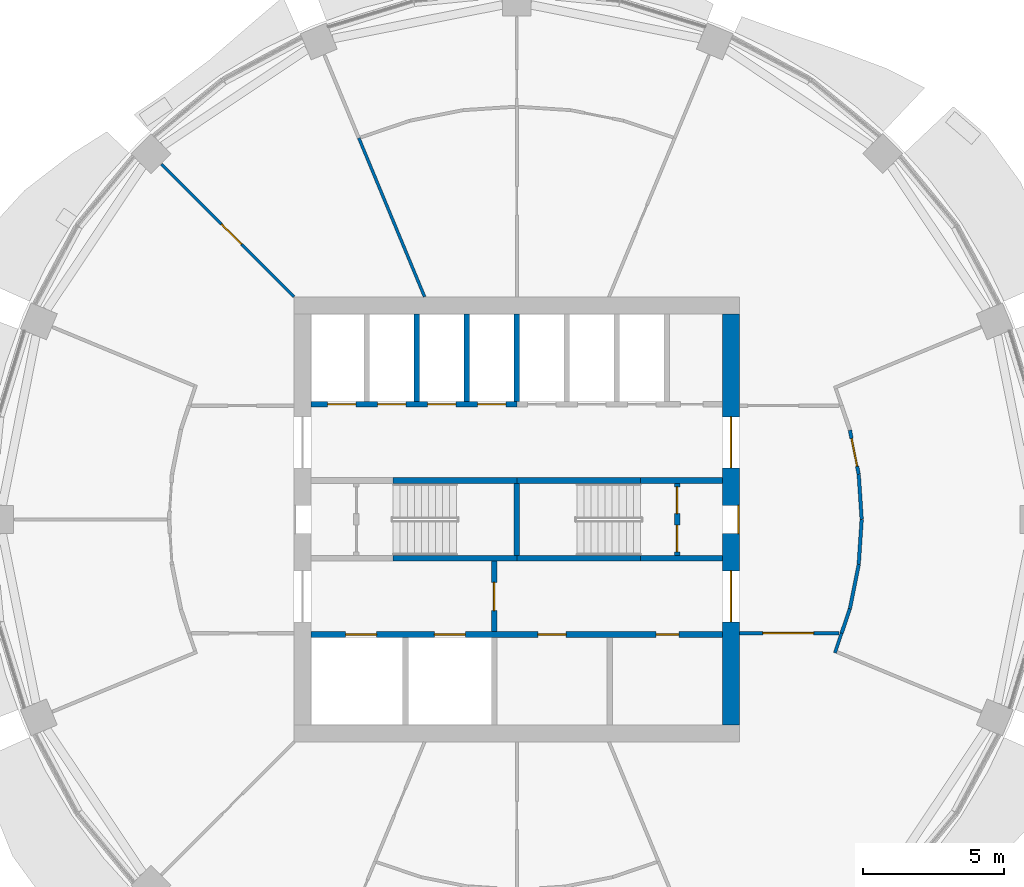
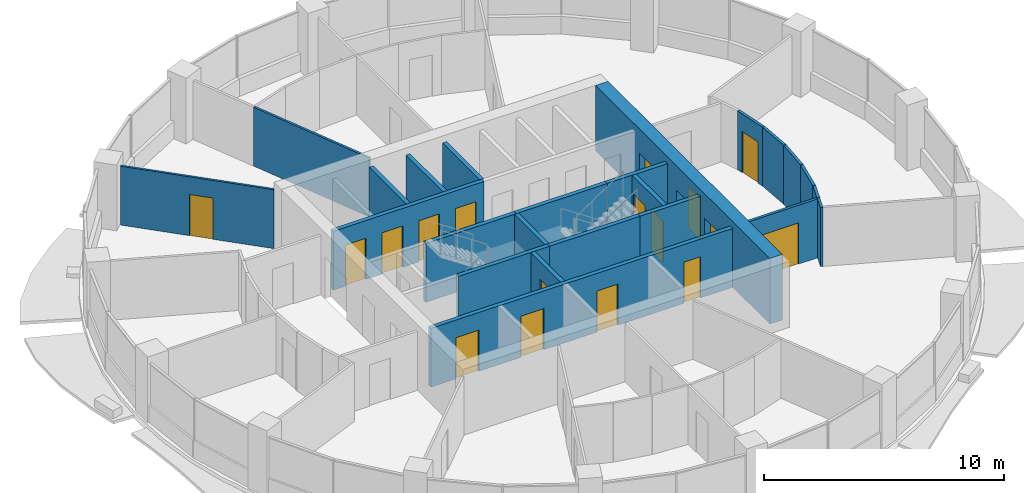
# One storey, part 9 of 14: 24 walls, 17 doors, 17 openings.
"""IFC4 building model written with IfcOpenShell, lengths in metres."""

import ifcopenshell
import ifcopenshell.guid

model = None  # the IFC model being written
_history = None  # IfcOwnerHistory: only IFC2X3 demands one
_inside = {}  # id of a spatial element -> (the spatial element, [elements in it])
_under = {}  # id of a project, library or spatial element -> (it, [spatial elements below it])
_declared = {}  # id of a project -> (the project, [libraries it declares])
_typed = {}  # id of a type object -> (the type object, [elements of that type])
_made_of = {}  # id of a material, layer set ... -> (it, [elements and type objects made of it])


def new_model(schema):
    """Start an empty IFC model of exactly this schema.

    Asked for "IFC4X3", IfcOpenShell would pick the latest addendum, in which some entities
    have other attributes; the version numbers below select the first issue.
    IFC2X3 requires an IfcOwnerHistory on every rooted entity: one is made here for all.
    """
    global model, _history
    if schema == "IFC4X3":
        model = ifcopenshell.file(schema_version=(4, 3, 0, 0))
    else:
        model = ifcopenshell.file(schema=schema)
    _inside.clear()
    _under.clear()
    _declared.clear()
    _typed.clear()
    _made_of.clear()
    _history = None
    if model.schema == "IFC2X3":
        org = make("IfcOrganization", Name="unknown")
        user = make(
            "IfcPersonAndOrganization",
            ThePerson=make("IfcPerson", FamilyName="unknown"),
            TheOrganization=org,
        )
        app = make(
            "IfcApplication",
            ApplicationDeveloper=org,
            Version="unknown",
            ApplicationFullName="unknown",
            ApplicationIdentifier="unknown",
        )
        _history = make(
            "IfcOwnerHistory",
            OwningUser=user,
            OwningApplication=app,
            ChangeAction="ADDED",
            CreationDate=0,
        )
    return model


def make(cls, **values):
    """One entity of the class cls with the attributes given. An attribute that is None is left unset."""
    return model.create_entity(
        cls, **{name: value for name, value in values.items() if value is not None}
    )


def rooted(cls, **values):
    """An entity with a GlobalId (a new one), such as an element, a storey or a relation."""
    return make(cls, GlobalId=ifcopenshell.guid.new(), OwnerHistory=_history, **values)


def si_unit(unit_type, name, prefix=None):
    """IfcSIUnit, for example si_unit("LENGTHUNIT", "METRE", prefix="MILLI")."""
    return make("IfcSIUnit", UnitType=unit_type, Prefix=prefix, Name=name)


def assignment(units):
    """IfcUnitAssignment: the units of a project."""
    return None if units is None else make("IfcUnitAssignment", Units=units)


def point(xyz):
    """IfcCartesianPoint."""
    return None if xyz is None else make("IfcCartesianPoint", Coordinates=xyz)


def direction(xyz):
    """IfcDirection."""
    return None if xyz is None else make("IfcDirection", DirectionRatios=xyz)


def frame(location, z_axis=None, x_axis=None):
    """IfcAxis2Placement3D, a coordinate frame: its origin and axes. An axis left out is left unset."""
    return make(
        "IfcAxis2Placement3D",
        Location=point(location),
        Axis=direction(z_axis),
        RefDirection=direction(x_axis),
    )


def frame_2d(location, x_axis=None):
    """IfcAxis2Placement2D, a coordinate frame in the plane: its origin and x axis."""
    return make(
        "IfcAxis2Placement2D", Location=point(location), RefDirection=direction(x_axis)
    )


def origin():
    """The frame at (0, 0, 0) with its axes left unset."""
    return frame((0.0, 0.0, 0.0))


def place(relative_to, where):
    """IfcLocalPlacement: puts the frame where relative to a parent placement (None: the world)."""
    return make(
        "IfcLocalPlacement", PlacementRelTo=relative_to, RelativePlacement=where
    )


def context(
    kind, dimensions, precision=None, world=None, true_north=None, identifier=None
):
    """IfcGeometricRepresentationContext, for example the 3D "Model" context."""
    return make(
        "IfcGeometricRepresentationContext",
        ContextIdentifier=identifier,
        ContextType=kind,
        CoordinateSpaceDimension=dimensions,
        Precision=precision,
        WorldCoordinateSystem=world,
        TrueNorth=true_north,
    )


def subcontext(parent, identifier, kind, view, scale=None):
    """IfcGeometricRepresentationSubContext, for example "Body" below "Model"."""
    return make(
        "IfcGeometricRepresentationSubContext",
        ContextIdentifier=identifier,
        ContextType=kind,
        ParentContext=parent,
        TargetScale=scale,
        TargetView=view,
    )


def project(units=None, contexts=None):
    """IfcProject with its units and contexts."""
    return rooted(
        "IfcProject",
        Name="project",
        RepresentationContexts=contexts,
        UnitsInContext=assignment(units),
    )


def spatial(cls, under=None, at=None, **own):
    """A site, building, storey or space (cls), placed at a placement, below another one or the project."""
    s = rooted(cls, ObjectPlacement=at, **own)
    if under is not None:
        _under.setdefault(under.id(), (under, []))[1].append(s)
    return s


def profile(cls, at=None, kind="AREA", **sizes):
    """A parametric profile (cls). Its sizes go by their IFC names, for example OverallWidth=200.0."""
    return make(cls, ProfileType=kind, Position=at, **sizes)


def rectangle(**sizes):
    """IfcRectangleProfileDef."""
    return profile("IfcRectangleProfileDef", **sizes)


def extrude(swept, where, along, depth):
    """IfcExtrudedAreaSolid: the profile swept, set in the frame where, extruded along a direction by depth."""
    return make(
        "IfcExtrudedAreaSolid",
        SweptArea=swept,
        Position=where,
        ExtrudedDirection=direction(along),
        Depth=depth,
    )


def shape(context_of_items, identifier, shape_type, items):
    """IfcShapeRepresentation: the items that make up one representation, for example the "Body"."""
    return make(
        "IfcShapeRepresentation",
        ContextOfItems=context_of_items,
        RepresentationIdentifier=identifier,
        RepresentationType=shape_type,
        Items=items,
    )


def material(Name=None, Category=None):
    """IfcMaterial."""
    return make("IfcMaterial", Name=Name, Category=Category)


def layer(
    of_material, thickness, ventilated=None, Name=None, Category=None, Priority=None
):
    """IfcMaterialLayer: one layer of a wall or slab, of a material (None: an air gap)."""
    return make(
        "IfcMaterialLayer",
        Material=of_material,
        LayerThickness=thickness,
        IsVentilated=ventilated,
        Name=Name,
        Category=Category,
        Priority=Priority,
    )


def layer_set(layers, Name=None):
    """IfcMaterialLayerSet."""
    return make("IfcMaterialLayerSet", MaterialLayers=layers, LayerSetName=Name)


def made_of(thing, what):
    """Note that an element or type object is made of a material, layer set ...; save() writes the relation."""
    if what is not None:
        _made_of.setdefault(what.id(), (what, []))[1].append(thing)
    return thing


def type_object(cls, material=None, **own):
    """A type object (cls), such as IfcWallType, which elements share."""
    return made_of(rooted(cls, **own), material)


def element(
    cls,
    number,
    at=None,
    inside=None,
    cuts=None,
    type_object=None,
    material=None,
    context=None,
    identifier="Body",
    shape_type=None,
    held_by="IfcProductDefinitionShape",
    body=None,
    shapes=None,
    **own,
):
    """One element of the class cls, such as IfcWall. Its Tag is "e" and its number.

    at: its placement. inside: the storey or other place that contains it. cuts: it is an
    opening in that element (IfcRelVoidsElement). A single representation is given by context,
    identifier, shape_type and body (its items); several are given by shapes. held_by: the class
    of the entity that holds the representations. save() writes the other relations.
    """
    e = rooted(cls, Tag="e%d" % number, ObjectPlacement=at, **own)
    if body is not None:
        shapes = [shape(context, identifier, shape_type, body)]
    if shapes is not None:
        e.Representation = make(held_by, Representations=shapes)
    if inside is not None:
        _inside.setdefault(inside.id(), (inside, []))[1].append(e)
    if cuts is not None:
        rooted(
            "IfcRelVoidsElement", RelatingBuildingElement=cuts, RelatedOpeningElement=e
        )
    if type_object is not None:
        _typed.setdefault(type_object.id(), (type_object, []))[1].append(e)
    return made_of(e, material)


def fill(opening, filler):
    """IfcRelFillsElement: the door or window that sits in an opening."""
    return rooted(
        "IfcRelFillsElement",
        RelatingOpeningElement=opening,
        RelatedBuildingElement=filler,
    )


def aggregate(whole, parts):
    """IfcRelAggregates: a whole, such as a stair, and the parts it consists of."""
    return rooted("IfcRelAggregates", RelatingObject=whole, RelatedObjects=parts)


def save(model, path):
    """Write the relations noted so far, then the file.

    IfcRelAggregates (storeys below a building ...), IfcRelContainedInSpatialStructure (elements
    in a storey), IfcRelDefinesByType, IfcRelAssociatesMaterial and IfcRelDeclares: one each for
    every whole, place, type object, material and project.
    """
    for whole, parts in _under.values():
        aggregate(whole, parts)
    for where, things in _inside.values():
        rooted(
            "IfcRelContainedInSpatialStructure",
            RelatedElements=things,
            RelatingStructure=where,
        )
    for kind, things in _typed.values():
        rooted("IfcRelDefinesByType", RelatedObjects=things, RelatingType=kind)
    for what, things in _made_of.values():
        rooted("IfcRelAssociatesMaterial", RelatedObjects=things, RelatingMaterial=what)
    for by, libraries in _declared.values():
        rooted("IfcRelDeclares", RelatingContext=by, RelatedDefinitions=libraries)
    model.write(path)


model = new_model("IFC4")

# Units and contexts
model_context = context("Model", 3, precision=1e-05, world=origin(), true_north=direction((0.0, 1.0)))
body_context = subcontext(model_context, "Body", "Model", "MODEL_VIEW")
ifc_project = project(units=[si_unit("LENGTHUNIT", "METRE"), si_unit("AREAUNIT", "SQUARE_METRE"), si_unit("VOLUMEUNIT", "CUBIC_METRE"), si_unit("PLANEANGLEUNIT", "RADIAN"), si_unit("MASSUNIT", "GRAM", prefix="KILO")], contexts=[model_context])

# Site, building, storey
site_placement = place(None, origin())
site = spatial("IfcSite", under=ifc_project, at=site_placement, CompositionType="ELEMENT")
building_placement = place(site_placement, origin())
building = spatial("IfcBuilding", under=site, at=building_placement, Name="Polderwave Tower", CompositionType="ELEMENT")
storey_placement = place(building_placement, frame((0.0, 0.0, 144.39990234375)))
storey = spatial("IfcBuildingStorey", under=building, at=storey_placement, Name="L38", CompositionType="ELEMENT", Elevation=144.39990234375)

# Wall, openings, doors
ifc_material_1 = material(Name="Concrete C60/75", Category="concrete")
ifc_layer_1 = layer(ifc_material_1, 0.60009765625)
ifc_layer_set_1 = layer_set([ifc_layer_1], Name="CORE WALL 600 C60/75")
wall_type_1 = type_object("IfcWallType", Name="CORE WALL 600 C60/75", PredefinedType="SHEAR", material=ifc_layer_set_1)
wall_1_placement = place(storey_placement, frame((7.573974609375, -7.27392578125, 0.0), z_axis=(0.0, 0.0, 1.0), x_axis=(0.0, 1.0, 0.0)))
wall_1 = element("IfcWall", 1, at=wall_1_placement, inside=storey, type_object=wall_type_1, Name="ST-CORE-L38-E", PredefinedType="SHEAR", context=body_context, shape_type="SweptSolid", body=[
    extrude(rectangle(XDim=14.5478515625, YDim=0.60009765625, at=frame_2d((7.27392578125, 0.0))), origin(), (0.0, 0.0, 1.0), 3.35009765625),
])
opening_1_placement = place(wall_1_placement, frame((6.77392578125, 0.0, 0.0)))
opening_1 = element("IfcOpeningElement", 2, at=opening_1_placement, cuts=wall_1, Name="Opening L38-D21", PredefinedType="OPENING", context=body_context, shape_type="SweptSolid", body=[
    extrude(rectangle(XDim=1.0, YDim=2.10009765625, at=frame_2d((0.5, 1.050048828125))), frame((0.0, 0.31005859375, 0.0), z_axis=(0.0, -1.0, 0.0), x_axis=(1.0, 0.0, 0.0)), (0.0, 0.0, 1.0), 0.6201171875),
])
opening_2_placement = place(wall_1_placement, frame((3.6494140625, 0.0, 0.0)))
opening_2 = element("IfcOpeningElement", 3, at=opening_2_placement, cuts=wall_1, Name="Opening L38-D22", PredefinedType="OPENING", context=body_context, shape_type="SweptSolid", body=[
    extrude(rectangle(XDim=1.800048828125, YDim=2.10009765625, at=frame_2d((0.89990234375, 1.050048828125))), frame((0.0, 0.31005859375, 0.0), z_axis=(0.0, -1.0, 0.0), x_axis=(1.0, 0.0, 0.0)), (0.0, 0.0, 1.0), 0.6201171875),
])
opening_3_placement = place(wall_1_placement, frame((9.098388671875, 0.0, 0.0)))
opening_3 = element("IfcOpeningElement", 4, at=opening_3_placement, cuts=wall_1, Name="Opening L38-D23", PredefinedType="OPENING", context=body_context, shape_type="SweptSolid", body=[
    extrude(rectangle(XDim=1.800048828125, YDim=2.10009765625, at=frame_2d((0.89990234375, 1.050048828125))), frame((0.0, 0.31005859375, 0.0), z_axis=(0.0, -1.0, 0.0), x_axis=(1.0, 0.0, 0.0)), (0.0, 0.0, 1.0), 0.6201171875),
])
ifc_material_2 = material(Name="Steel fire door", Category="steel")
door_type_1 = type_object("IfcDoorType", Name="Lobby entry door pair 1800", OperationType="DOUBLE_DOOR_SINGLE_SWING", PredefinedType="DOOR", material=ifc_material_2)
door_1_placement = place(opening_2_placement, frame((1.800048828125, 0.0, 0.0), z_axis=(0.0, 0.0, 1.0), x_axis=(-1.0, 0.0, 0.0)))
door_1 = element("IfcDoor", 5, at=door_1_placement, inside=storey, type_object=door_type_1, Name="South lobby entry door", OperationType="DOUBLE_DOOR_SINGLE_SWING", OverallHeight=2.10009765625, OverallWidth=1.800048828125, PredefinedType="DOOR", context=body_context, shape_type="SweptSolid", body=[
    extrude(rectangle(XDim=1.800048828125, YDim=2.10009765625, at=frame_2d((0.89990234375, 1.050048828125))), frame((0.0, 0.02490234375, 0.0), z_axis=(0.0, -1.0, 0.0), x_axis=(1.0, 0.0, 0.0)), (0.0, 0.0, 1.0), 0.050048828125),
])
fill(opening_2, door_1)
door_2_placement = place(opening_3_placement, frame((1.800048828125, 0.0, 0.0), z_axis=(0.0, 0.0, 1.0), x_axis=(-1.0, 0.0, 0.0)))
door_2 = element("IfcDoor", 6, at=door_2_placement, inside=storey, type_object=door_type_1, Name="North lobby entry door", OperationType="DOUBLE_DOOR_SINGLE_SWING", OverallHeight=2.10009765625, OverallWidth=1.800048828125, PredefinedType="DOOR", context=body_context, shape_type="SweptSolid", body=[
    extrude(rectangle(XDim=1.800048828125, YDim=2.10009765625, at=frame_2d((0.89990234375, 1.050048828125))), frame((0.0, 0.02490234375, 0.0), z_axis=(0.0, -1.0, 0.0), x_axis=(1.0, 0.0, 0.0)), (0.0, 0.0, 1.0), 0.050048828125),
])
fill(opening_3, door_2)
door_type_2 = type_object("IfcDoorType", Name="Stair door 1000", OperationType="NOTDEFINED", PredefinedType="DOOR", material=ifc_material_2)
door_3_placement = place(opening_1_placement, frame((1.0, 0.0, 0.0), z_axis=(0.0, 0.0, 1.0), x_axis=(-1.0, 0.0, 0.0)))
door_3 = element("IfcDoor", 7, at=door_3_placement, inside=storey, type_object=door_type_2, Name="Stair B entry door", OperationType="SINGLE_SWING_LEFT", OverallHeight=2.10009765625, OverallWidth=1.0, PredefinedType="DOOR", context=body_context, shape_type="SweptSolid", body=[
    extrude(rectangle(XDim=1.0, YDim=2.10009765625, at=frame_2d((0.5, 1.050048828125))), frame((0.0, 0.2998046875, 0.0), z_axis=(0.0, -1.0, 0.0), x_axis=(1.0, 0.0, 0.0)), (0.0, 0.0, 1.0), 0.050048828125),
])
fill(opening_1, door_3)

# Wall, opening, door
ifc_material_3 = material(Name="Gypsum board partition")
ifc_layer_2 = layer(ifc_material_3, 0.199951171875)
ifc_layer_set_2 = layer_set([ifc_layer_2], Name="Core room partition 200")
wall_type_2 = type_object("IfcWallType", Name="Core room partition 200", PredefinedType="PARTITIONING", material=ifc_layer_set_2)
wall_2_placement = place(storey_placement, frame((-0.800048828125, -3.97412109375, 0.0), z_axis=(0.0, 0.0, 1.0), x_axis=(0.0, 1.0, 0.0)))
wall_2 = element("IfcWall", 8, at=wall_2_placement, inside=storey, type_object=wall_type_2, Name="L38 fire-fighting lobby wall", PredefinedType="PARTITIONING", context=body_context, shape_type="SweptSolid", body=[
    extrude(rectangle(XDim=2.4990234375, YDim=0.199951171875, at=frame_2d((1.24951171875, 0.0))), origin(), (0.0, 0.0, 1.0), 3.0),
])
opening_4_placement = place(wall_2_placement, frame((0.74951171875, 0.0, 0.0)))
opening_4 = element("IfcOpeningElement", 9, at=opening_4_placement, cuts=wall_2, Name="Opening L38-D14", PredefinedType="OPENING", context=body_context, shape_type="SweptSolid", body=[
    extrude(rectangle(XDim=1.0, YDim=2.10009765625, at=frame_2d((0.5, 1.050048828125))), frame((0.0, 0.10986328125, 0.0), z_axis=(0.0, -1.0, 0.0), x_axis=(1.0, 0.0, 0.0)), (0.0, 0.0, 1.0), 0.219970703125),
])
door_type_3 = type_object("IfcDoorType", Name="Lobby fire door 1000", OperationType="NOTDEFINED", PredefinedType="DOOR", material=ifc_material_2)
door_4_placement = place(opening_4_placement, frame((1.0, 0.0, 0.0), z_axis=(0.0, 0.0, 1.0), x_axis=(-1.0, 0.0, 0.0)))
door_4 = element("IfcDoor", 10, at=door_4_placement, inside=storey, type_object=door_type_3, Name="Fire-fighting lobby door", OperationType="SINGLE_SWING_LEFT", OverallHeight=2.10009765625, OverallWidth=1.0, PredefinedType="DOOR", context=body_context, shape_type="SweptSolid", body=[
    extrude(rectangle(XDim=1.0, YDim=2.10009765625, at=frame_2d((0.5, 1.050048828125))), frame((0.0, 0.02490234375, 0.0), z_axis=(0.0, -1.0, 0.0), x_axis=(1.0, 0.0, 0.0)), (0.0, 0.0, 1.0), 0.050048828125),
])
fill(opening_4, door_4)

# Wall, openings, doors
wall_3_placement = place(storey_placement, frame((5.674072265625, -1.27490234375, 0.0), z_axis=(0.0, 0.0, 1.0), x_axis=(0.0, 1.0, 0.0)))
wall_3 = element("IfcWall", 11, at=wall_3_placement, inside=storey, type_object=wall_type_2, Name="L38 smoke lobby wall B", PredefinedType="PARTITIONING", context=body_context, shape_type="SweptSolid", body=[
    extrude(rectangle(XDim=2.5498046875, YDim=0.199951171875, at=frame_2d((1.27490234375, 0.0))), origin(), (0.0, 0.0, 1.0), 3.0),
])
opening_5_placement = place(wall_3_placement, frame((0.125, 0.0, 0.0)))
opening_5 = element("IfcOpeningElement", 12, at=opening_5_placement, cuts=wall_3, Name="Opening L38-D12", PredefinedType="OPENING", context=body_context, shape_type="SweptSolid", body=[
    extrude(rectangle(XDim=0.949951171875, YDim=2.10009765625, at=frame_2d((0.47509765625, 1.050048828125))), frame((0.0, 0.10986328125, 0.0), z_axis=(0.0, -1.0, 0.0), x_axis=(1.0, 0.0, 0.0)), (0.0, 0.0, 1.0), 0.219970703125),
])
opening_6_placement = place(wall_3_placement, frame((1.47509765625, 0.0, 0.0)))
opening_6 = element("IfcOpeningElement", 13, at=opening_6_placement, cuts=wall_3, Name="Opening L38-D13", PredefinedType="OPENING", context=body_context, shape_type="SweptSolid", body=[
    extrude(rectangle(XDim=0.949951171875, YDim=2.10009765625, at=frame_2d((0.47509765625, 1.050048828125))), frame((0.0, 0.10986328125, 0.0), z_axis=(0.0, -1.0, 0.0), x_axis=(1.0, 0.0, 0.0)), (0.0, 0.0, 1.0), 0.219970703125),
])
door_type_4 = type_object("IfcDoorType", Name="Smoke lobby door 950", OperationType="NOTDEFINED", PredefinedType="DOOR", material=ifc_material_2)
door_5_placement = place(opening_5_placement, frame((0.949951171875, 0.0, 0.0), z_axis=(0.0, 0.0, 1.0), x_axis=(-1.0, 0.0, 0.0)))
door_5 = element("IfcDoor", 14, at=door_5_placement, inside=storey, type_object=door_type_4, Name="Stair B smoke lobby inner door", OperationType="SINGLE_SWING_RIGHT", OverallHeight=2.10009765625, OverallWidth=0.949951171875, PredefinedType="DOOR", context=body_context, shape_type="SweptSolid", body=[
    extrude(rectangle(XDim=0.949951171875, YDim=2.10009765625, at=frame_2d((0.47509765625, 1.050048828125))), frame((0.0, 0.02490234375, 0.0), z_axis=(0.0, -1.0, 0.0), x_axis=(1.0, 0.0, 0.0)), (0.0, 0.0, 1.0), 0.050048828125),
])
fill(opening_5, door_5)
door_6_placement = place(opening_6_placement, frame((0.949951171875, 0.0, 0.0), z_axis=(0.0, 0.0, 1.0), x_axis=(-1.0, 0.0, 0.0)))
door_6 = element("IfcDoor", 15, at=door_6_placement, inside=storey, type_object=door_type_4, Name="Stair B smoke lobby inner door", OperationType="SINGLE_SWING_LEFT", OverallHeight=2.10009765625, OverallWidth=0.949951171875, PredefinedType="DOOR", context=body_context, shape_type="SweptSolid", body=[
    extrude(rectangle(XDim=0.949951171875, YDim=2.10009765625, at=frame_2d((0.47509765625, 1.050048828125))), frame((0.0, 0.02490234375, 0.0), z_axis=(0.0, -1.0, 0.0), x_axis=(1.0, 0.0, 0.0)), (0.0, 0.0, 1.0), 0.050048828125),
])
fill(opening_6, door_6)

ifc_material_4 = material(Name="Concrete C50/60", Category="concrete")
ifc_layer_3 = layer(ifc_material_4, 0.199951171875)
ifc_layer_set_3 = layer_set([ifc_layer_3], Name="Core web wall 200")
wall_type_3 = type_object("IfcWallType", Name="Core web wall 200", PredefinedType="SHEAR", material=ifc_layer_set_3)
wall_4_placement = place(storey_placement, frame((-7.27392578125, -4.073974609375, 0.0), z_axis=(0.0, 0.0, 1.0), x_axis=(1.0, 0.0, 0.0)))
wall_4 = element("IfcWall", 16, at=wall_4_placement, inside=storey, type_object=wall_type_3, Name="L38 south front wall", PredefinedType="SHEAR", context=body_context, shape_type="SweptSolid", body=[
    extrude(rectangle(XDim=14.5478515625, YDim=0.199951171875, at=frame_2d((7.27392578125, 0.0))), origin(), (0.0, 0.0, 1.0), 3.0),
])
opening_7_placement = place(wall_4_placement, frame((1.218505859375, 0.0, 0.0)))
opening_7 = element("IfcOpeningElement", 17, at=opening_7_placement, cuts=wall_4, Name="Opening L38-D01", PredefinedType="OPENING", context=body_context, shape_type="SweptSolid", body=[
    extrude(rectangle(XDim=1.10009765625, YDim=2.10009765625, at=frame_2d((0.550048828125, 1.050048828125))), frame((0.0, 0.10986328125, 0.0), z_axis=(0.0, -1.0, 0.0), x_axis=(1.0, 0.0, 0.0)), (0.0, 0.0, 1.0), 0.219970703125),
])
opening_8_placement = place(wall_4_placement, frame((4.35546875, 0.0, 0.0)))
opening_8 = element("IfcOpeningElement", 18, at=opening_8_placement, cuts=wall_4, Name="Opening L38-D02", PredefinedType="OPENING", context=body_context, shape_type="SweptSolid", body=[
    extrude(rectangle(XDim=1.10009765625, YDim=2.10009765625, at=frame_2d((0.550048828125, 1.050048828125))), frame((0.0, 0.10986328125, 0.0), z_axis=(0.0, -1.0, 0.0), x_axis=(1.0, 0.0, 0.0)), (0.0, 0.0, 1.0), 0.219970703125),
])
opening_9_placement = place(wall_4_placement, frame((8.017578125, 0.0, 0.0)))
opening_9 = element("IfcOpeningElement", 19, at=opening_9_placement, cuts=wall_4, Name="Opening L38-D15", PredefinedType="OPENING", context=body_context, shape_type="SweptSolid", body=[
    extrude(rectangle(XDim=1.0, YDim=2.10009765625, at=frame_2d((0.5, 1.050048828125))), frame((0.0, 0.10986328125, 0.0), z_axis=(0.0, -1.0, 0.0), x_axis=(1.0, 0.0, 0.0)), (0.0, 0.0, 1.0), 0.219970703125),
])
opening_10_placement = place(wall_4_placement, frame((12.20458984375, 0.0, 0.0)))
opening_10 = element("IfcOpeningElement", 20, at=opening_10_placement, cuts=wall_4, Name="Opening L38-D16", PredefinedType="OPENING", context=body_context, shape_type="SweptSolid", body=[
    extrude(rectangle(XDim=0.800048828125, YDim=2.10009765625, at=frame_2d((0.39990234375, 1.050048828125))), frame((0.0, 0.10986328125, 0.0), z_axis=(0.0, -1.0, 0.0), x_axis=(1.0, 0.0, 0.0)), (0.0, 0.0, 1.0), 0.219970703125),
])
ifc_material_5 = material(Name="Stainless steel", Category="steel")
door_type_5 = type_object("IfcDoorType", Name="Fire-fighting lift landing door 1100", OperationType="DOUBLE_DOOR_SLIDING", PredefinedType="DOOR", material=ifc_material_5)
door_7_placement = place(opening_7_placement, origin())
door_7 = element("IfcDoor", 21, at=door_7_placement, inside=storey, type_object=door_type_5, Name="Fire-fighting lift FF1 landing door", OperationType="DOUBLE_DOOR_SLIDING", OverallHeight=2.10009765625, OverallWidth=1.10009765625, PredefinedType="DOOR", context=body_context, shape_type="SweptSolid", body=[
    extrude(rectangle(XDim=1.10009765625, YDim=2.10009765625, at=frame_2d((0.550048828125, 1.050048828125))), frame((0.0, 0.02490234375, 0.0), z_axis=(0.0, -1.0, 0.0), x_axis=(1.0, 0.0, 0.0)), (0.0, 0.0, 1.0), 0.050048828125),
])
fill(opening_7, door_7)
door_8_placement = place(opening_8_placement, origin())
door_8 = element("IfcDoor", 22, at=door_8_placement, inside=storey, type_object=door_type_5, Name="Fire-fighting lift FF2 landing door", OperationType="DOUBLE_DOOR_SLIDING", OverallHeight=2.10009765625, OverallWidth=1.10009765625, PredefinedType="DOOR", context=body_context, shape_type="SweptSolid", body=[
    extrude(rectangle(XDim=1.10009765625, YDim=2.10009765625, at=frame_2d((0.550048828125, 1.050048828125))), frame((0.0, 0.02490234375, 0.0), z_axis=(0.0, -1.0, 0.0), x_axis=(1.0, 0.0, 0.0)), (0.0, 0.0, 1.0), 0.050048828125),
])
fill(opening_8, door_8)
door_type_6 = type_object("IfcDoorType", Name="Riser door 800", OperationType="NOTDEFINED", PredefinedType="DOOR", material=ifc_material_2)
door_9_placement = place(opening_10_placement, origin())
door_9 = element("IfcDoor", 23, at=door_9_placement, inside=storey, type_object=door_type_6, Name="Switch room door", OperationType="SINGLE_SWING_RIGHT", OverallHeight=2.10009765625, OverallWidth=0.800048828125, PredefinedType="DOOR", context=body_context, shape_type="SweptSolid", body=[
    extrude(rectangle(XDim=0.800048828125, YDim=2.10009765625, at=frame_2d((0.39990234375, 1.050048828125))), frame((0.0, 0.02490234375, 0.0), z_axis=(0.0, -1.0, 0.0), x_axis=(1.0, 0.0, 0.0)), (0.0, 0.0, 1.0), 0.050048828125),
])
fill(opening_10, door_9)
ifc_material_6 = material(Name="Timber door leaf", Category="wood")
door_type_7 = type_object("IfcDoorType", Name="Room door 1000", OperationType="NOTDEFINED", PredefinedType="DOOR", material=ifc_material_6)
door_10_placement = place(opening_9_placement, origin())
door_10 = element("IfcDoor", 24, at=door_10_placement, inside=storey, type_object=door_type_7, Name="Plant room door", OperationType="SINGLE_SWING_RIGHT", OverallHeight=2.10009765625, OverallWidth=1.0, PredefinedType="DOOR", context=body_context, shape_type="SweptSolid", body=[
    extrude(rectangle(XDim=1.0, YDim=2.10009765625, at=frame_2d((0.5, 1.050048828125))), frame((0.0, 0.02490234375, 0.0), z_axis=(0.0, -1.0, 0.0), x_axis=(1.0, 0.0, 0.0)), (0.0, 0.0, 1.0), 0.050048828125),
])
fill(opening_9, door_10)

wall_5_placement = place(storey_placement, frame((-7.27392578125, 4.073974609375, 0.0), z_axis=(0.0, 0.0, 1.0), x_axis=(1.0, 0.0, 0.0)))
wall_5 = element("IfcWall", 25, at=wall_5_placement, inside=storey, type_object=wall_type_3, Name="L38 north front wall 1", PredefinedType="SHEAR", context=body_context, shape_type="SweptSolid", body=[
    extrude(rectangle(XDim=7.27392578125, YDim=0.199951171875, at=frame_2d((3.636962890625, 0.0))), origin(), (0.0, 0.0, 1.0), 3.0),
])
opening_11_placement = place(wall_5_placement, frame((0.584228515625, 0.0, 0.0)))
opening_11 = element("IfcOpeningElement", 26, at=opening_11_placement, cuts=wall_5, Name="Opening L38-D03", PredefinedType="OPENING", context=body_context, shape_type="SweptSolid", body=[
    extrude(rectangle(XDim=1.0, YDim=2.10009765625, at=frame_2d((0.5, 1.050048828125))), frame((0.0, 0.10986328125, 0.0), z_axis=(0.0, -1.0, 0.0), x_axis=(1.0, 0.0, 0.0)), (0.0, 0.0, 1.0), 0.219970703125),
])
opening_12_placement = place(wall_5_placement, frame((2.352783203125, 0.0, 0.0)))
opening_12 = element("IfcOpeningElement", 27, at=opening_12_placement, cuts=wall_5, Name="Opening L38-D04", PredefinedType="OPENING", context=body_context, shape_type="SweptSolid", body=[
    extrude(rectangle(XDim=1.0, YDim=2.10009765625, at=frame_2d((0.5, 1.050048828125))), frame((0.0, 0.10986328125, 0.0), z_axis=(0.0, -1.0, 0.0), x_axis=(1.0, 0.0, 0.0)), (0.0, 0.0, 1.0), 0.219970703125),
])
opening_13_placement = place(wall_5_placement, frame((4.12109375, 0.0, 0.0)))
opening_13 = element("IfcOpeningElement", 28, at=opening_13_placement, cuts=wall_5, Name="Opening L38-D05", PredefinedType="OPENING", context=body_context, shape_type="SweptSolid", body=[
    extrude(rectangle(XDim=1.0, YDim=2.10009765625, at=frame_2d((0.5, 1.050048828125))), frame((0.0, 0.10986328125, 0.0), z_axis=(0.0, -1.0, 0.0), x_axis=(1.0, 0.0, 0.0)), (0.0, 0.0, 1.0), 0.219970703125),
])
opening_14_placement = place(wall_5_placement, frame((5.889892578125, 0.0, 0.0)))
opening_14 = element("IfcOpeningElement", 29, at=opening_14_placement, cuts=wall_5, Name="Opening L38-D06", PredefinedType="OPENING", context=body_context, shape_type="SweptSolid", body=[
    extrude(rectangle(XDim=1.0, YDim=2.10009765625, at=frame_2d((0.5, 1.050048828125))), frame((0.0, 0.10986328125, 0.0), z_axis=(0.0, -1.0, 0.0), x_axis=(1.0, 0.0, 0.0)), (0.0, 0.0, 1.0), 0.219970703125),
])
door_type_8 = type_object("IfcDoorType", Name="Lift landing door 1000", OperationType="DOUBLE_DOOR_SLIDING", PredefinedType="DOOR", material=ifc_material_5)
door_11_placement = place(opening_11_placement, frame((1.0, 0.0, 0.0), z_axis=(0.0, 0.0, 1.0), x_axis=(-1.0, 0.0, 0.0)))
door_11 = element("IfcDoor", 30, at=door_11_placement, inside=storey, type_object=door_type_8, Name="Lift HL1 landing door", OperationType="DOUBLE_DOOR_SLIDING", OverallHeight=2.10009765625, OverallWidth=1.0, PredefinedType="DOOR", context=body_context, shape_type="SweptSolid", body=[
    extrude(rectangle(XDim=1.0, YDim=2.10009765625, at=frame_2d((0.5, 1.050048828125))), frame((0.0, 0.02490234375, 0.0), z_axis=(0.0, -1.0, 0.0), x_axis=(1.0, 0.0, 0.0)), (0.0, 0.0, 1.0), 0.050048828125),
])
fill(opening_11, door_11)
door_12_placement = place(opening_12_placement, frame((1.0, 0.0, 0.0), z_axis=(0.0, 0.0, 1.0), x_axis=(-1.0, 0.0, 0.0)))
door_12 = element("IfcDoor", 31, at=door_12_placement, inside=storey, type_object=door_type_8, Name="Lift HL2 landing door", OperationType="DOUBLE_DOOR_SLIDING", OverallHeight=2.10009765625, OverallWidth=1.0, PredefinedType="DOOR", context=body_context, shape_type="SweptSolid", body=[
    extrude(rectangle(XDim=1.0, YDim=2.10009765625, at=frame_2d((0.5, 1.050048828125))), frame((0.0, 0.02490234375, 0.0), z_axis=(0.0, -1.0, 0.0), x_axis=(1.0, 0.0, 0.0)), (0.0, 0.0, 1.0), 0.050048828125),
])
fill(opening_12, door_12)
door_13_placement = place(opening_13_placement, frame((1.0, 0.0, 0.0), z_axis=(0.0, 0.0, 1.0), x_axis=(-1.0, 0.0, 0.0)))
door_13 = element("IfcDoor", 32, at=door_13_placement, inside=storey, type_object=door_type_8, Name="Lift HL3 landing door", OperationType="DOUBLE_DOOR_SLIDING", OverallHeight=2.10009765625, OverallWidth=1.0, PredefinedType="DOOR", context=body_context, shape_type="SweptSolid", body=[
    extrude(rectangle(XDim=1.0, YDim=2.10009765625, at=frame_2d((0.5, 1.050048828125))), frame((0.0, 0.02490234375, 0.0), z_axis=(0.0, -1.0, 0.0), x_axis=(1.0, 0.0, 0.0)), (0.0, 0.0, 1.0), 0.050048828125),
])
fill(opening_13, door_13)
door_14_placement = place(opening_14_placement, frame((1.0, 0.0, 0.0), z_axis=(0.0, 0.0, 1.0), x_axis=(-1.0, 0.0, 0.0)))
door_14 = element("IfcDoor", 33, at=door_14_placement, inside=storey, type_object=door_type_8, Name="Lift HL4 landing door", OperationType="DOUBLE_DOOR_SLIDING", OverallHeight=2.10009765625, OverallWidth=1.0, PredefinedType="DOOR", context=body_context, shape_type="SweptSolid", body=[
    extrude(rectangle(XDim=1.0, YDim=2.10009765625, at=frame_2d((0.5, 1.050048828125))), frame((0.0, 0.02490234375, 0.0), z_axis=(0.0, -1.0, 0.0), x_axis=(1.0, 0.0, 0.0)), (0.0, 0.0, 1.0), 0.050048828125),
])
fill(opening_14, door_14)

# Walls
for number, where, z_axis, x_axis, name in (
    (34, (-4.3740234375, -1.375, 0.0), (0.0, 0.0, 1.0), (1.0, 0.0, 0.0), "L38 south stair wall 2"),
    (35, (0.0, -1.375, 0.0), (0.0, 0.0, 1.0), (1.0, 0.0, 0.0), "L38 south stair wall 3"),
):
    element("IfcWall", number, at=place(storey_placement, frame(where, z_axis=z_axis, x_axis=x_axis)), inside=storey, type_object=wall_type_3, Name=name, PredefinedType="SHEAR", context=body_context, shape_type="SweptSolid", body=[
        extrude(rectangle(XDim=4.3740234375, YDim=0.199951171875, at=frame_2d((2.18701171875, 0.0))), origin(), (0.0, 0.0, 1.0), 3.0),
    ])
wall_6_placement = place(storey_placement, frame((4.3740234375, -1.375, 0.0), z_axis=(0.0, 0.0, 1.0), x_axis=(1.0, 0.0, 0.0)))
element("IfcWall", 36, at=wall_6_placement, inside=storey, type_object=wall_type_3, Name="L38 south stair wall 4", PredefinedType="SHEAR", context=body_context, shape_type="SweptSolid", body=[
    extrude(rectangle(XDim=2.89990234375, YDim=0.199951171875, at=frame_2d((1.449951171875, 0.0))), origin(), (0.0, 0.0, 1.0), 3.0),
])
for number, where, z_axis, x_axis, name in (
    (37, (-4.3740234375, 1.375, 0.0), (0.0, 0.0, 1.0), (1.0, 0.0, 0.0), "L38 north stair wall 2"),
    (38, (0.0, 1.375, 0.0), (0.0, 0.0, 1.0), (1.0, 0.0, 0.0), "L38 north stair wall 3"),
):
    element("IfcWall", number, at=place(storey_placement, frame(where, z_axis=z_axis, x_axis=x_axis)), inside=storey, type_object=wall_type_3, Name=name, PredefinedType="SHEAR", context=body_context, shape_type="SweptSolid", body=[
        extrude(rectangle(XDim=4.3740234375, YDim=0.199951171875, at=frame_2d((2.18701171875, 0.0))), origin(), (0.0, 0.0, 1.0), 3.0),
    ])
wall_7_placement = place(storey_placement, frame((4.3740234375, 1.375, 0.0), z_axis=(0.0, 0.0, 1.0), x_axis=(1.0, 0.0, 0.0)))
element("IfcWall", 39, at=wall_7_placement, inside=storey, type_object=wall_type_3, Name="L38 north stair wall 4", PredefinedType="SHEAR", context=body_context, shape_type="SweptSolid", body=[
    extrude(rectangle(XDim=2.89990234375, YDim=0.199951171875, at=frame_2d((1.449951171875, 0.0))), origin(), (0.0, 0.0, 1.0), 3.0),
])
wall_8_placement = place(storey_placement, frame((0.0, -1.27490234375, 0.0), z_axis=(0.0, 0.0, 1.0), x_axis=(0.0, 1.0, 0.0)))
element("IfcWall", 40, at=wall_8_placement, inside=storey, type_object=wall_type_3, Name="L38 wall between the stairs", PredefinedType="SHEAR", context=body_context, shape_type="SweptSolid", body=[
    extrude(rectangle(XDim=2.5498046875, YDim=0.199951171875, at=frame_2d((1.27490234375, 0.0))), origin(), (0.0, 0.0, 1.0), 3.0),
])
ifc_material_7 = material(Name="Fire-resisting board on steel studs", Category="steel")
ifc_layer_4 = layer(ifc_material_7, 0.125)
ifc_layer_set_4 = layer_set([ifc_layer_4], Name="Corridor wall 125 mm EI 60")
wall_type_4 = type_object("IfcWallType", Name="Corridor wall 125 mm EI 60", PredefinedType="PARTITIONING", material=ifc_layer_set_4)
wall_9_placement = place(storey_placement, frame((11.782958984375, -3.16162109375, 0.0), z_axis=(0.0, 0.0, 1.0), x_axis=(-0.321528033916, -0.946900059883, 0.0)))
element("IfcWall", 41, at=wall_9_placement, inside=storey, type_object=wall_type_4, Name="IN-L38-W002", PredefinedType="PARTITIONING", context=body_context, shape_type="SweptSolid", body=[
    extrude(rectangle(XDim=0.9111328125, YDim=0.125, at=frame_2d((0.45556640625, 0.0))), origin(), (0.0, 0.0, 1.0), 3.0),
])

# Wall, opening, door
wall_10_placement = place(storey_placement, frame((11.78515625, 3.153564453125, 0.0), z_axis=(0.0, 0.0, 1.0), x_axis=(0.194992234072, -0.980804786209, 0.0)))
wall_10 = element("IfcWall", 42, at=wall_10_placement, inside=storey, type_object=wall_type_4, Name="IN-L38-W003", PredefinedType="PARTITIONING", context=body_context, shape_type="SweptSolid", body=[
    extrude(rectangle(XDim=1.587646484375, YDim=0.125, at=frame_2d((0.7939453125, 0.0))), origin(), (0.0, 0.0, 1.0), 3.0),
])
opening_15_placement = place(wall_10_placement, frame((0.300048828125, 0.0, 0.0)))
opening_15 = element("IfcOpeningElement", 43, at=opening_15_placement, cuts=wall_10, Name="Opening L38-D50", PredefinedType="OPENING", context=body_context, shape_type="SweptSolid", body=[
    extrude(rectangle(XDim=1.0, YDim=2.10009765625, at=frame_2d((0.5, 1.050048828125))), frame((0.0, 0.072509765625, 0.0), z_axis=(0.0, -1.0, 0.0), x_axis=(1.0, 0.0, 0.0)), (0.0, 0.0, 1.0), 0.14501953125),
])
ifc_material_8 = material(Name="Timber fire door leaf", Category="wood")
door_type_9 = type_object("IfcDoorType", Name="Fire door FD30S 1000 x 2100", OperationType="NOTDEFINED", PredefinedType="DOOR", material=ifc_material_8)
door_15_placement = place(opening_15_placement, origin())
door_15 = element("IfcDoor", 44, at=door_15_placement, inside=storey, type_object=door_type_9, Name="Door L38-D50", OperationType="SINGLE_SWING_RIGHT", OverallHeight=2.10009765625, OverallWidth=1.0, PredefinedType="DOOR", context=body_context, shape_type="SweptSolid", body=[
    extrude(rectangle(XDim=1.0, YDim=2.10009765625, at=frame_2d((0.5, 1.050048828125))), frame((0.0, 0.02490234375, 0.0), z_axis=(0.0, -1.0, 0.0), x_axis=(1.0, 0.0, 0.0)), (0.0, 0.0, 1.0), 0.050048828125),
])
fill(opening_15, door_15)

# Walls
for number, where, z_axis, x_axis, name in (
    (45, (12.0947265625, -1.596435546875, 0.0), (0.0, 0.0, 1.0), (-0.194992234072, -0.980804786209, 0.0), "IN-L38-W004"),
    (46, (12.095947265625, 1.58837890625, 0.0), (0.0, 0.0, 1.0), (0.065355427749, -0.997862048614, 0.0), "IN-L38-W005"),
    (47, (12.19970703125, -0.004150390625, 0.0), (0.0, 0.0, 1.0), (-0.065355427749, -0.997862048614, 0.0), "IN-L38-W006"),
):
    element("IfcWall", number, at=place(storey_placement, frame(where, z_axis=z_axis, x_axis=x_axis)), inside=storey, type_object=wall_type_4, Name=name, PredefinedType="PARTITIONING", context=body_context, shape_type="SweptSolid", body=[
        extrude(rectangle(XDim=1.587646484375, YDim=0.125, at=frame_2d((0.7939453125, 0.0))), origin(), (0.0, 0.0, 1.0), 3.0),
    ])

# Wall, opening, door
wall_11_placement = place(storey_placement, frame((11.40283203125, -4.0244140625, 0.0), z_axis=(0.0, 0.0, 1.0), x_axis=(-1.0, 0.0, 0.0)))
wall_11 = element("IfcWall", 48, at=wall_11_placement, inside=storey, type_object=wall_type_4, Name="IN-L38-W008", PredefinedType="PARTITIONING", context=body_context, shape_type="SweptSolid", body=[
    extrude(rectangle(XDim=3.52880859375, YDim=0.125, at=frame_2d((1.764404296875, 0.0))), origin(), (0.0, 0.0, 1.0), 3.0),
])
opening_16_placement = place(wall_11_placement, frame((0.89990234375, 0.0, 0.0)))
opening_16 = element("IfcOpeningElement", 49, at=opening_16_placement, cuts=wall_11, Name="Opening L38-D52", PredefinedType="OPENING", context=body_context, shape_type="SweptSolid", body=[
    extrude(rectangle(XDim=1.800048828125, YDim=2.10009765625, at=frame_2d((0.89990234375, 1.050048828125))), frame((0.0, 0.072509765625, 0.0), z_axis=(0.0, -1.0, 0.0), x_axis=(1.0, 0.0, 0.0)), (0.0, 0.0, 1.0), 0.14501953125),
])
ifc_material_9 = material(Name="Timber fire door leaves", Category="wood")
door_type_10 = type_object("IfcDoorType", Name="Double fire door FD30S 1800 x 2100", OperationType="NOTDEFINED", PredefinedType="DOOR", material=ifc_material_9)
door_16_placement = place(opening_16_placement, origin())
door_16 = element("IfcDoor", 50, at=door_16_placement, inside=storey, type_object=door_type_10, Name="Door L38-D52", OperationType="DOUBLE_DOOR_SINGLE_SWING", OverallHeight=2.10009765625, OverallWidth=1.800048828125, PredefinedType="DOOR", context=body_context, shape_type="SweptSolid", body=[
    extrude(rectangle(XDim=1.800048828125, YDim=2.10009765625, at=frame_2d((0.89990234375, 1.050048828125))), frame((0.0, 0.02490234375, 0.0), z_axis=(0.0, -1.0, 0.0), x_axis=(1.0, 0.0, 0.0)), (0.0, 0.0, 1.0), 0.050048828125),
])
fill(opening_16, door_16)

ifc_material_10 = material(Name="Plasterboard on steel studs", Category="steel")
ifc_layer_5 = layer(ifc_material_10, 0.10009765625)
ifc_layer_set_5 = layer_set([ifc_layer_5], Name="Partition 100 mm plasterboard on steel studs")
wall_type_5 = type_object("IfcWallType", Name="Partition 100 mm plasterboard on steel studs", PredefinedType="PARTITIONING", material=ifc_layer_set_5)
wall_12_placement = place(storey_placement, frame((-12.565185546875, 12.565185546875, 0.0), z_axis=(0.0, 0.0, 1.0), x_axis=(0.707106781187, -0.707106781187, 0.0)))
wall_12 = element("IfcWall", 51, at=wall_12_placement, inside=storey, type_object=wall_type_5, Name="IN-L38-W033", PredefinedType="PARTITIONING", context=body_context, shape_type="SweptSolid", body=[
    extrude(rectangle(XDim=6.63427734375, YDim=0.10009765625, at=frame_2d((3.317138671875, 0.0))), origin(), (0.0, 0.0, 1.0), 3.0),
])
opening_17_placement = place(wall_12_placement, frame((3.0, 0.0, 0.0)))
opening_17 = element("IfcOpeningElement", 52, at=opening_17_placement, cuts=wall_12, Name="Opening L38-D61", PredefinedType="OPENING", context=body_context, shape_type="SweptSolid", body=[
    extrude(rectangle(XDim=1.0, YDim=2.10009765625, at=frame_2d((0.5, 1.050048828125))), frame((0.0, 0.06005859375, 0.0), z_axis=(0.0, -1.0, 0.0), x_axis=(1.0, 0.0, 0.0)), (0.0, 0.0, 1.0), 0.1201171875),
])
ifc_material_11 = material(Name="Timber veneer door leaf", Category="wood")
door_type_11 = type_object("IfcDoorType", Name="Single door 1000 x 2100", OperationType="NOTDEFINED", PredefinedType="DOOR", material=ifc_material_11)
door_17_placement = place(opening_17_placement, origin())
door_17 = element("IfcDoor", 53, at=door_17_placement, inside=storey, type_object=door_type_11, Name="Door L38-D61", OperationType="SINGLE_SWING_RIGHT", OverallHeight=2.10009765625, OverallWidth=1.0, PredefinedType="DOOR", context=body_context, shape_type="SweptSolid", body=[
    extrude(rectangle(XDim=1.0, YDim=2.10009765625, at=frame_2d((0.5, 1.050048828125))), frame((0.0, 0.02490234375, 0.0), z_axis=(0.0, -1.0, 0.0), x_axis=(1.0, 0.0, 0.0)), (0.0, 0.0, 1.0), 0.050048828125),
])
fill(opening_17, door_17)

# Walls
ifc_material_12 = material(Name="Moisture-resistant board on steel studs, tiled", Category="steel")
ifc_layer_6 = layer(ifc_material_12, 0.10498046875)
ifc_layer_set_6 = layer_set([ifc_layer_6], Name="Partition 105 mm wet room board and tile")
wall_type_6 = type_object("IfcWallType", Name="Partition 105 mm wet room board and tile", PredefinedType="PARTITIONING", material=ifc_layer_set_6)
wall_13_placement = place(storey_placement, frame((-3.261474609375, 7.8740234375, 0.0), z_axis=(0.0, 0.0, 1.0), x_axis=(-0.382694772383, 0.92387483524, 0.0)))
element("IfcWall", 54, at=wall_13_placement, inside=storey, type_object=wall_type_6, Name="IN-L38-W031", PredefinedType="PARTITIONING", context=body_context, shape_type="SweptSolid", body=[
    extrude(rectangle(XDim=6.0771484375, YDim=0.10498046875, at=frame_2d((3.03857421875, 0.0))), origin(), (0.0, 0.0, 1.0), 3.0),
])
ifc_material_13 = material(Name="Acoustic double plasterboard on steel studs", Category="steel")
ifc_layer_7 = layer(ifc_material_13, 0.110107421875)
ifc_layer_set_7 = layer_set([ifc_layer_7], Name="Partition 110 mm acoustic double board")
wall_type_7 = type_object("IfcWallType", Name="Partition 110 mm acoustic double board", PredefinedType="PARTITIONING", material=ifc_layer_set_7)
wall_14_placement = place(storey_placement, frame((11.253662109375, -4.720703125, 0.0), z_axis=(0.0, 0.0, 1.0), x_axis=(0.321402682693, 0.946942614712, 0.0)))
element("IfcWall", 55, at=wall_14_placement, inside=storey, type_object=wall_type_7, Name="IN-L38-W019", PredefinedType="PARTITIONING", context=body_context, shape_type="SweptSolid", body=[
    extrude(rectangle(XDim=0.7353515625, YDim=0.110107421875, at=frame_2d((0.36767578125, 0.0))), origin(), (0.0, 0.0, 1.0), 3.0),
])
ifc_material_14 = material(Name="Gypsum shaft wall system")
ifc_layer_8 = layer(ifc_material_14, 0.199951171875)
ifc_layer_set_8 = layer_set([ifc_layer_8], Name="Shaft wall 200")
wall_type_8 = type_object("IfcWallType", Name="Shaft wall 200", PredefinedType="PARTITIONING", material=ifc_layer_set_8)
for number, where, z_axis, x_axis, name in (
    (56, (-3.537109375, 4.174072265625, 0.0), (0.0, 0.0, 1.0), (0.0, 1.0, 0.0), "L38 lift shaft wall N2"),
    (57, (-1.7685546875, 4.174072265625, 0.0), (0.0, 0.0, 1.0), (0.0, 1.0, 0.0), "L38 lift shaft wall N3"),
    (58, (0.0, 4.174072265625, 0.0), (0.0, 0.0, 1.0), (0.0, 1.0, 0.0), "L38 lift shaft wall N4"),
):
    element("IfcWall", number, at=place(storey_placement, frame(where, z_axis=z_axis, x_axis=x_axis)), inside=storey, type_object=wall_type_8, Name=name, PredefinedType="PARTITIONING", context=body_context, shape_type="SweptSolid", body=[
        extrude(rectangle(XDim=3.099853515625, YDim=0.199951171875, at=frame_2d((1.5498046875, 0.0))), origin(), (0.0, 0.0, 1.0), 3.0),
    ])

save(model, "model.ifc")
